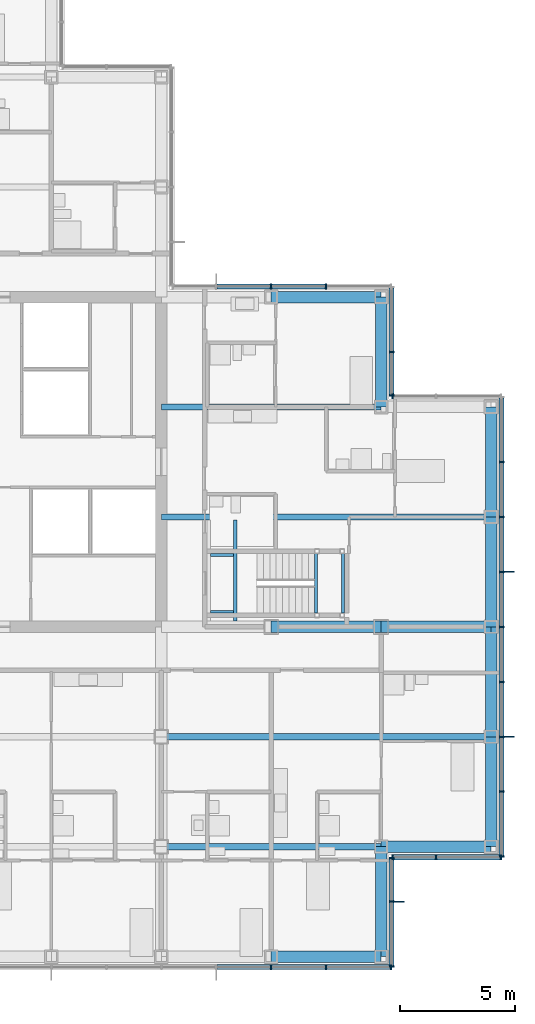
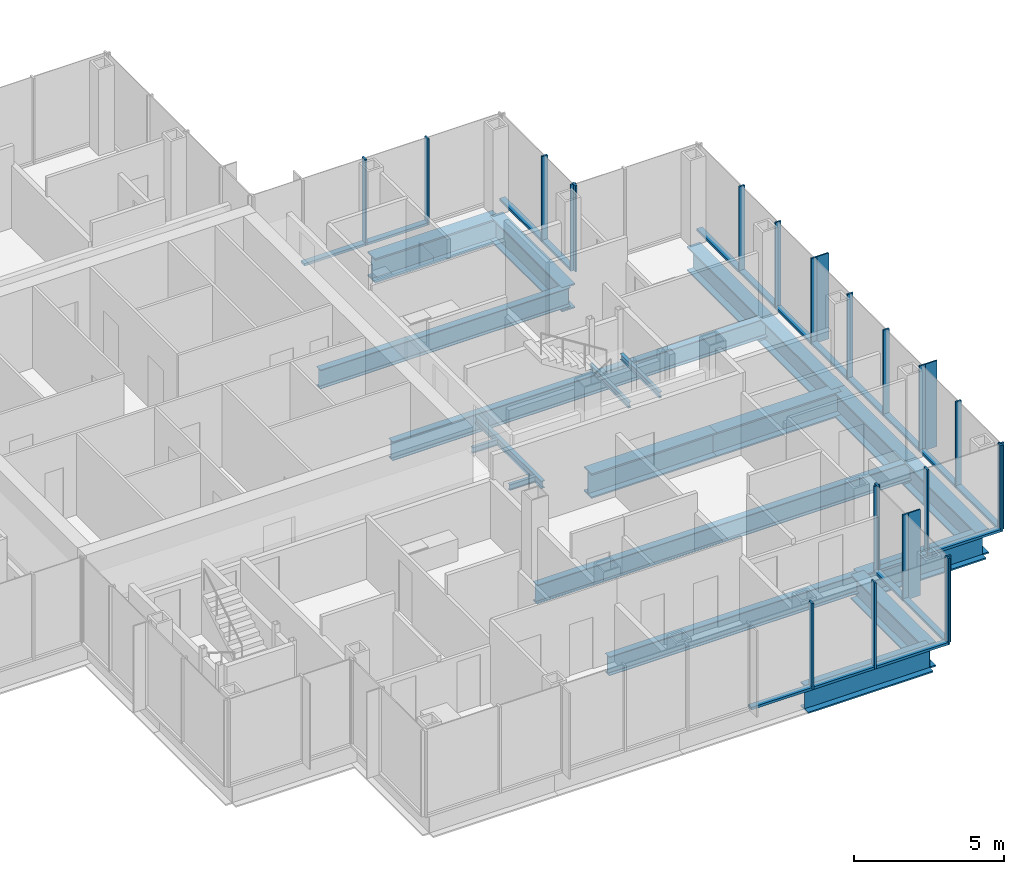
# One storey, part 8 of 20: 44 members, 20 beams, 7 elements without a shape of their own.
"""IFC4 building model written with IfcOpenShell, lengths in metres."""

import ifcopenshell
import ifcopenshell.guid

model = None  # the IFC model being written
_history = None  # IfcOwnerHistory: only IFC2X3 demands one
_inside = {}  # id of a spatial element -> (the spatial element, [elements in it])
_under = {}  # id of a project, library or spatial element -> (it, [spatial elements below it])
_declared = {}  # id of a project -> (the project, [libraries it declares])
_typed = {}  # id of a type object -> (the type object, [elements of that type])
_made_of = {}  # id of a material, layer set ... -> (it, [elements and type objects made of it])


def new_model(schema):
    """Start an empty IFC model of exactly this schema.

    Asked for "IFC4X3", IfcOpenShell would pick the latest addendum, in which some entities
    have other attributes; the version numbers below select the first issue.
    IFC2X3 requires an IfcOwnerHistory on every rooted entity: one is made here for all.
    """
    global model, _history
    if schema == "IFC4X3":
        model = ifcopenshell.file(schema_version=(4, 3, 0, 0))
    else:
        model = ifcopenshell.file(schema=schema)
    _inside.clear()
    _under.clear()
    _declared.clear()
    _typed.clear()
    _made_of.clear()
    _history = None
    if model.schema == "IFC2X3":
        org = make("IfcOrganization", Name="unknown")
        user = make(
            "IfcPersonAndOrganization",
            ThePerson=make("IfcPerson", FamilyName="unknown"),
            TheOrganization=org,
        )
        app = make(
            "IfcApplication",
            ApplicationDeveloper=org,
            Version="unknown",
            ApplicationFullName="unknown",
            ApplicationIdentifier="unknown",
        )
        _history = make(
            "IfcOwnerHistory",
            OwningUser=user,
            OwningApplication=app,
            ChangeAction="ADDED",
            CreationDate=0,
        )
    return model


def make(cls, **values):
    """One entity of the class cls with the attributes given. An attribute that is None is left unset."""
    return model.create_entity(
        cls, **{name: value for name, value in values.items() if value is not None}
    )


def rooted(cls, **values):
    """An entity with a GlobalId (a new one), such as an element, a storey or a relation."""
    return make(cls, GlobalId=ifcopenshell.guid.new(), OwnerHistory=_history, **values)


def si_unit(unit_type, name, prefix=None):
    """IfcSIUnit, for example si_unit("LENGTHUNIT", "METRE", prefix="MILLI")."""
    return make("IfcSIUnit", UnitType=unit_type, Prefix=prefix, Name=name)


def assignment(units):
    """IfcUnitAssignment: the units of a project."""
    return None if units is None else make("IfcUnitAssignment", Units=units)


def point(xyz):
    """IfcCartesianPoint."""
    return None if xyz is None else make("IfcCartesianPoint", Coordinates=xyz)


def direction(xyz):
    """IfcDirection."""
    return None if xyz is None else make("IfcDirection", DirectionRatios=xyz)


def frame(location, z_axis=None, x_axis=None):
    """IfcAxis2Placement3D, a coordinate frame: its origin and axes. An axis left out is left unset."""
    return make(
        "IfcAxis2Placement3D",
        Location=point(location),
        Axis=direction(z_axis),
        RefDirection=direction(x_axis),
    )


def frame_2d(location, x_axis=None):
    """IfcAxis2Placement2D, a coordinate frame in the plane: its origin and x axis."""
    return make(
        "IfcAxis2Placement2D", Location=point(location), RefDirection=direction(x_axis)
    )


def origin():
    """The frame at (0, 0, 0) with its axes left unset."""
    return frame((0.0, 0.0, 0.0))


def origin_2d():
    """The frame at (0, 0) in the plane with its x axis left unset."""
    return frame_2d((0.0, 0.0))


def place(relative_to, where):
    """IfcLocalPlacement: puts the frame where relative to a parent placement (None: the world)."""
    return make(
        "IfcLocalPlacement", PlacementRelTo=relative_to, RelativePlacement=where
    )


def context(
    kind, dimensions, precision=None, world=None, true_north=None, identifier=None
):
    """IfcGeometricRepresentationContext, for example the 3D "Model" context."""
    return make(
        "IfcGeometricRepresentationContext",
        ContextIdentifier=identifier,
        ContextType=kind,
        CoordinateSpaceDimension=dimensions,
        Precision=precision,
        WorldCoordinateSystem=world,
        TrueNorth=true_north,
    )


def subcontext(parent, identifier, kind, view, scale=None):
    """IfcGeometricRepresentationSubContext, for example "Body" below "Model"."""
    return make(
        "IfcGeometricRepresentationSubContext",
        ContextIdentifier=identifier,
        ContextType=kind,
        ParentContext=parent,
        TargetScale=scale,
        TargetView=view,
    )


def project(units=None, contexts=None):
    """IfcProject with its units and contexts."""
    return rooted(
        "IfcProject",
        Name="project",
        RepresentationContexts=contexts,
        UnitsInContext=assignment(units),
    )


def spatial(cls, under=None, at=None, **own):
    """A site, building, storey or space (cls), placed at a placement, below another one or the project."""
    s = rooted(cls, ObjectPlacement=at, **own)
    if under is not None:
        _under.setdefault(under.id(), (under, []))[1].append(s)
    return s


def profile(cls, at=None, kind="AREA", **sizes):
    """A parametric profile (cls). Its sizes go by their IFC names, for example OverallWidth=200.0."""
    return make(cls, ProfileType=kind, Position=at, **sizes)


def rectangle(**sizes):
    """IfcRectangleProfileDef."""
    return profile("IfcRectangleProfileDef", **sizes)


def i_section(**sizes):
    """IfcIShapeProfileDef."""
    return profile("IfcIShapeProfileDef", **sizes)


def extrude(swept, where, along, depth):
    """IfcExtrudedAreaSolid: the profile swept, set in the frame where, extruded along a direction by depth."""
    return make(
        "IfcExtrudedAreaSolid",
        SweptArea=swept,
        Position=where,
        ExtrudedDirection=direction(along),
        Depth=depth,
    )


def shape(context_of_items, identifier, shape_type, items):
    """IfcShapeRepresentation: the items that make up one representation, for example the "Body"."""
    return make(
        "IfcShapeRepresentation",
        ContextOfItems=context_of_items,
        RepresentationIdentifier=identifier,
        RepresentationType=shape_type,
        Items=items,
    )


def material(Name=None, Category=None):
    """IfcMaterial."""
    return make("IfcMaterial", Name=Name, Category=Category)


def material_profile(
    of_material, cross_section, Name=None, Category=None, Priority=None
):
    """IfcMaterialProfile: a cross section and its material."""
    return make(
        "IfcMaterialProfile",
        Name=Name,
        Material=of_material,
        Profile=cross_section,
        Priority=Priority,
        Category=Category,
    )


def profile_set(profiles, Name=None, composite=None):
    """IfcMaterialProfileSet."""
    return make(
        "IfcMaterialProfileSet",
        Name=Name,
        MaterialProfiles=profiles,
        CompositeProfile=composite,
    )


def made_of(thing, what):
    """Note that an element or type object is made of a material, layer set ...; save() writes the relation."""
    if what is not None:
        _made_of.setdefault(what.id(), (what, []))[1].append(thing)
    return thing


def type_object(cls, material=None, **own):
    """A type object (cls), such as IfcWallType, which elements share."""
    return made_of(rooted(cls, **own), material)


def element(
    cls,
    number,
    at=None,
    inside=None,
    cuts=None,
    type_object=None,
    material=None,
    context=None,
    identifier="Body",
    shape_type=None,
    held_by="IfcProductDefinitionShape",
    body=None,
    shapes=None,
    **own,
):
    """One element of the class cls, such as IfcWall. Its Tag is "e" and its number.

    at: its placement. inside: the storey or other place that contains it. cuts: it is an
    opening in that element (IfcRelVoidsElement). A single representation is given by context,
    identifier, shape_type and body (its items); several are given by shapes. held_by: the class
    of the entity that holds the representations. save() writes the other relations.
    """
    e = rooted(cls, Tag="e%d" % number, ObjectPlacement=at, **own)
    if body is not None:
        shapes = [shape(context, identifier, shape_type, body)]
    if shapes is not None:
        e.Representation = make(held_by, Representations=shapes)
    if inside is not None:
        _inside.setdefault(inside.id(), (inside, []))[1].append(e)
    if cuts is not None:
        rooted(
            "IfcRelVoidsElement", RelatingBuildingElement=cuts, RelatedOpeningElement=e
        )
    if type_object is not None:
        _typed.setdefault(type_object.id(), (type_object, []))[1].append(e)
    return made_of(e, material)


def aggregate(whole, parts):
    """IfcRelAggregates: a whole, such as a stair, and the parts it consists of."""
    return rooted("IfcRelAggregates", RelatingObject=whole, RelatedObjects=parts)


def save(model, path):
    """Write the relations noted so far, then the file.

    IfcRelAggregates (storeys below a building ...), IfcRelContainedInSpatialStructure (elements
    in a storey), IfcRelDefinesByType, IfcRelAssociatesMaterial and IfcRelDeclares: one each for
    every whole, place, type object, material and project.
    """
    for whole, parts in _under.values():
        aggregate(whole, parts)
    for where, things in _inside.values():
        rooted(
            "IfcRelContainedInSpatialStructure",
            RelatedElements=things,
            RelatingStructure=where,
        )
    for kind, things in _typed.values():
        rooted("IfcRelDefinesByType", RelatedObjects=things, RelatingType=kind)
    for what, things in _made_of.values():
        rooted("IfcRelAssociatesMaterial", RelatedObjects=things, RelatingMaterial=what)
    for by, libraries in _declared.values():
        rooted("IfcRelDeclares", RelatingContext=by, RelatedDefinitions=libraries)
    model.write(path)


model = new_model("IFC4")

# Units and contexts
model_context = context("Model", 3, precision=1e-05, world=origin(), true_north=direction((0.0, 1.0)))
body_context = subcontext(model_context, "Body", "Model", "MODEL_VIEW")
ifc_project = project(units=[si_unit("LENGTHUNIT", "METRE"), si_unit("AREAUNIT", "SQUARE_METRE"), si_unit("VOLUMEUNIT", "CUBIC_METRE"), si_unit("PLANEANGLEUNIT", "RADIAN"), si_unit("MASSUNIT", "GRAM", prefix="KILO")], contexts=[model_context])

# Site, building, storey
site_placement = place(None, origin())
site = spatial("IfcSite", under=ifc_project, at=site_placement, CompositionType="ELEMENT")
building_placement = place(site_placement, origin())
building = spatial("IfcBuilding", under=site, at=building_placement, Name="Kvirike Care Tower", CompositionType="ELEMENT")
storey_placement = place(building_placement, frame((0.0, 0.0, 119.0)))
storey = spatial("IfcBuildingStorey", under=building, at=storey_placement, Name="L32", CompositionType="ELEMENT", Elevation=119.0)

# Curtain wall, members
ifc_material_1 = material(Name="Anodised aluminium stick system", Category="aluminium")
curtain_wall_type = type_object("IfcCurtainWallType", Name="CW-B STICK CURTAIN WALL", PredefinedType="NOTDEFINED", material=ifc_material_1)
curtain_wall_1_placement = place(storey_placement, origin())
curtain_wall_1 = element("IfcCurtainWall", 1, at=curtain_wall_1_placement, inside=storey, type_object=curtain_wall_type, Name="Curtain wall L32 face 1", PredefinedType="NOTDEFINED")
ifc_material_2 = material(Name="Bronze anodised aluminium fin", Category="aluminium")
ifc_material_profile_1 = material_profile(ifc_material_2, rectangle(XDim=0.050048828125, YDim=0.449951171875, at=origin_2d()), Name="BRONZE FIN 450")
ifc_profile_set_1 = profile_set([ifc_material_profile_1], Name="Bronze anodised aluminium fin")
member_type_1 = type_object("IfcMemberType", Name="BRONZE FIN 450", PredefinedType="USERDEFINED", material=ifc_profile_set_1)
member_1_placement = place(storey_placement, frame((43.9951171875, 24.0, 0.0), z_axis=(0.0, 0.0, 1.0), x_axis=(0.0, 1.0, 0.0)))
member_1 = element("IfcMember", 2, at=member_1_placement, type_object=member_type_1, Name="Bronze fin L32 face 1.3", ObjectType="FIN", PredefinedType="USERDEFINED", context=body_context, shape_type="SweptSolid", body=[
    extrude(rectangle(XDim=0.050048828125, YDim=0.449951171875, at=origin_2d()), origin(), (0.0, 0.0, 1.0), 3.5),
])
member_2_placement = place(storey_placement, frame((43.9951171875, 31.199951171875, 0.0), z_axis=(0.0, 0.0, 1.0), x_axis=(0.0, 1.0, 0.0)))
member_2 = element("IfcMember", 3, at=member_2_placement, type_object=member_type_1, Name="Bronze fin L32 face 1.6", ObjectType="FIN", PredefinedType="USERDEFINED", context=body_context, shape_type="SweptSolid", body=[
    extrude(rectangle(XDim=0.050048828125, YDim=0.449951171875, at=origin_2d()), origin(), (0.0, 0.0, 1.0), 3.5),
])

# Curtain wall, member
curtain_wall_2_placement = place(storey_placement, origin())
curtain_wall_2 = element("IfcCurtainWall", 4, at=curtain_wall_2_placement, inside=storey, type_object=curtain_wall_type, Name="Curtain wall L32 face 19", PredefinedType="NOTDEFINED")
member_3_placement = place(storey_placement, frame((39.195068359375, 16.800048828125, 0.0), z_axis=(0.0, 0.0, 1.0), x_axis=(0.0, 1.0, 0.0)))
member_3 = element("IfcMember", 5, at=member_3_placement, type_object=member_type_1, Name="Bronze fin L32 face 19.2", ObjectType="FIN", PredefinedType="USERDEFINED", context=body_context, shape_type="SweptSolid", body=[
    extrude(rectangle(XDim=0.050048828125, YDim=0.449951171875, at=origin_2d()), origin(), (0.0, 0.0, 1.0), 3.5),
])

# Member
ifc_material_3 = material(Name="Bronze anodised aluminium mullion", Category="aluminium")
ifc_material_profile_2 = material_profile(ifc_material_3, rectangle(XDim=0.06494140625, YDim=0.219970703125, at=origin_2d()), Name="CW-B MULLION 65x220")
ifc_profile_set_2 = profile_set([ifc_material_profile_2], Name="Bronze anodised aluminium mullion")
member_type_2 = type_object("IfcMemberType", Name="CW-B MULLION 65x220", PredefinedType="MULLION", material=ifc_profile_set_2)
member_4_placement = place(storey_placement, frame((43.659912109375, 18.7724609375, 0.0), z_axis=(0.0, 0.0, 1.0), x_axis=(0.0, 1.0, 0.0)))
member_4 = element("IfcMember", 6, at=member_4_placement, type_object=member_type_2, Name="CW-B mullion L32 face 1.1", PredefinedType="MULLION", context=body_context, shape_type="SweptSolid", body=[
    extrude(rectangle(XDim=0.06494140625, YDim=0.219970703125, at=origin_2d()), origin(), (0.0, 0.0, 1.0), 3.5),
])

member_5_placement = place(storey_placement, frame((43.659912109375, 21.60009765625, 0.0), z_axis=(0.0, 0.0, 1.0), x_axis=(0.0, 1.0, 0.0)))
member_5 = element("IfcMember", 7, at=member_5_placement, type_object=member_type_2, Name="CW-B mullion L32 face 1.2", PredefinedType="MULLION", context=body_context, shape_type="SweptSolid", body=[
    extrude(rectangle(XDim=0.06494140625, YDim=0.219970703125, at=origin_2d()), origin(), (0.0, 0.0, 1.0), 3.5),
])

member_6_placement = place(storey_placement, frame((43.659912109375, 24.0, 0.0), z_axis=(0.0, 0.0, 1.0), x_axis=(0.0, 1.0, 0.0)))
member_6 = element("IfcMember", 8, at=member_6_placement, type_object=member_type_2, Name="CW-B mullion L32 face 1.3", PredefinedType="MULLION", context=body_context, shape_type="SweptSolid", body=[
    extrude(rectangle(XDim=0.06494140625, YDim=0.219970703125, at=origin_2d()), origin(), (0.0, 0.0, 1.0), 3.5),
])

member_7_placement = place(storey_placement, frame((43.659912109375, 26.39990234375, 0.0), z_axis=(0.0, 0.0, 1.0), x_axis=(0.0, 1.0, 0.0)))
member_7 = element("IfcMember", 9, at=member_7_placement, type_object=member_type_2, Name="CW-B mullion L32 face 1.4", PredefinedType="MULLION", context=body_context, shape_type="SweptSolid", body=[
    extrude(rectangle(XDim=0.06494140625, YDim=0.219970703125, at=origin_2d()), origin(), (0.0, 0.0, 1.0), 3.5),
])

member_8_placement = place(storey_placement, frame((43.659912109375, 28.800048828125, 0.0), z_axis=(0.0, 0.0, 1.0), x_axis=(0.0, 1.0, 0.0)))
member_8 = element("IfcMember", 10, at=member_8_placement, type_object=member_type_2, Name="CW-B mullion L32 face 1.5", PredefinedType="MULLION", context=body_context, shape_type="SweptSolid", body=[
    extrude(rectangle(XDim=0.06494140625, YDim=0.219970703125, at=origin_2d()), origin(), (0.0, 0.0, 1.0), 3.5),
])

member_9_placement = place(storey_placement, frame((43.659912109375, 31.199951171875, 0.0), z_axis=(0.0, 0.0, 1.0), x_axis=(0.0, 1.0, 0.0)))
member_9 = element("IfcMember", 11, at=member_9_placement, type_object=member_type_2, Name="CW-B mullion L32 face 1.6", PredefinedType="MULLION", context=body_context, shape_type="SweptSolid", body=[
    extrude(rectangle(XDim=0.06494140625, YDim=0.219970703125, at=origin_2d()), origin(), (0.0, 0.0, 1.0), 3.5),
])

member_10_placement = place(storey_placement, frame((43.659912109375, 33.60009765625, 0.0), z_axis=(0.0, 0.0, 1.0), x_axis=(0.0, 1.0, 0.0)))
member_10 = element("IfcMember", 12, at=member_10_placement, type_object=member_type_2, Name="CW-B mullion L32 face 1.7", PredefinedType="MULLION", context=body_context, shape_type="SweptSolid", body=[
    extrude(rectangle(XDim=0.06494140625, YDim=0.219970703125, at=origin_2d()), origin(), (0.0, 0.0, 1.0), 3.5),
])

member_11_placement = place(storey_placement, frame((43.659912109375, 36.0, 0.0), z_axis=(0.0, 0.0, 1.0), x_axis=(0.0, 1.0, 0.0)))
member_11 = element("IfcMember", 13, at=member_11_placement, type_object=member_type_2, Name="CW-B mullion L32 face 1.8", PredefinedType="MULLION", context=body_context, shape_type="SweptSolid", body=[
    extrude(rectangle(XDim=0.06494140625, YDim=0.219970703125, at=origin_2d()), origin(), (0.0, 0.0, 1.0), 3.5),
])

# Curtain wall, member
curtain_wall_3_placement = place(storey_placement, origin())
curtain_wall_3 = element("IfcCurtainWall", 14, at=curtain_wall_3_placement, inside=storey, type_object=curtain_wall_type, Name="Curtain wall L32 face 2", PredefinedType="NOTDEFINED")
member_12_placement = place(storey_placement, frame((38.892578125, 38.860107421875, 0.0), z_axis=(0.0, 0.0, 1.0), x_axis=(-1.0, 0.0, 0.0)))
member_12 = element("IfcMember", 15, at=member_12_placement, type_object=member_type_2, Name="CW-B mullion L32 face 2.3", PredefinedType="MULLION", context=body_context, shape_type="SweptSolid", body=[
    extrude(rectangle(XDim=0.06494140625, YDim=0.219970703125, at=origin_2d()), origin(), (0.0, 0.0, 1.0), 3.5),
])
aggregate(curtain_wall_3, [member_12])

# Curtain wall, members
curtain_wall_4_placement = place(storey_placement, origin())
curtain_wall_4 = element("IfcCurtainWall", 16, at=curtain_wall_4_placement, inside=storey, type_object=curtain_wall_type, Name="Curtain wall L32 face 3", PredefinedType="NOTDEFINED")
member_13_placement = place(storey_placement, frame((38.860107421875, 38.892578125, 0.0), z_axis=(0.0, 0.0, 1.0), x_axis=(0.0, 1.0, 0.0)))
member_13 = element("IfcMember", 17, at=member_13_placement, type_object=member_type_2, Name="CW-B mullion L32 face 3.1", PredefinedType="MULLION", context=body_context, shape_type="SweptSolid", body=[
    extrude(rectangle(XDim=0.06494140625, YDim=0.219970703125, at=origin_2d()), origin(), (0.0, 0.0, 1.0), 3.5),
])
member_14_placement = place(storey_placement, frame((38.860107421875, 40.800048828125, 0.0), z_axis=(0.0, 0.0, 1.0), x_axis=(0.0, 1.0, 0.0)))
member_14 = element("IfcMember", 18, at=member_14_placement, type_object=member_type_2, Name="CW-B mullion L32 face 3.2", PredefinedType="MULLION", context=body_context, shape_type="SweptSolid", body=[
    extrude(rectangle(XDim=0.06494140625, YDim=0.219970703125, at=origin_2d()), origin(), (0.0, 0.0, 1.0), 3.5),
])

curtain_wall_5_placement = place(storey_placement, origin())
curtain_wall_5 = element("IfcCurtainWall", 19, at=curtain_wall_5_placement, inside=storey, type_object=curtain_wall_type, Name="Curtain wall L32 face 4", PredefinedType="NOTDEFINED")
member_15_placement = place(storey_placement, frame((36.0, 43.659912109375, 0.0), z_axis=(0.0, 0.0, 1.0), x_axis=(-1.0, 0.0, 0.0)))
member_15 = element("IfcMember", 20, at=member_15_placement, type_object=member_type_2, Name="CW-B mullion L32 face 4.2", PredefinedType="MULLION", context=body_context, shape_type="SweptSolid", body=[
    extrude(rectangle(XDim=0.06494140625, YDim=0.219970703125, at=origin_2d()), origin(), (0.0, 0.0, 1.0), 3.5),
])
member_16_placement = place(storey_placement, frame((33.60009765625, 43.659912109375, 0.0), z_axis=(0.0, 0.0, 1.0), x_axis=(-1.0, 0.0, 0.0)))
member_16 = element("IfcMember", 21, at=member_16_placement, type_object=member_type_2, Name="CW-B mullion L32 face 4.3", PredefinedType="MULLION", context=body_context, shape_type="SweptSolid", body=[
    extrude(rectangle(XDim=0.06494140625, YDim=0.219970703125, at=origin_2d()), origin(), (0.0, 0.0, 1.0), 3.5),
])

curtain_wall_6_placement = place(storey_placement, origin())
curtain_wall_6 = element("IfcCurtainWall", 22, at=curtain_wall_6_placement, inside=storey, type_object=curtain_wall_type, Name="Curtain wall L32 face 18", PredefinedType="NOTDEFINED")
member_17_placement = place(storey_placement, frame((33.60009765625, 13.93994140625, 0.0), z_axis=(0.0, 0.0, 1.0), x_axis=(1.0, 0.0, 0.0)))
member_17 = element("IfcMember", 23, at=member_17_placement, type_object=member_type_2, Name="CW-B mullion L32 face 18.7", PredefinedType="MULLION", context=body_context, shape_type="SweptSolid", body=[
    extrude(rectangle(XDim=0.06494140625, YDim=0.219970703125, at=origin_2d()), origin(), (0.0, 0.0, 1.0), 3.5),
])
member_18_placement = place(storey_placement, frame((36.0, 13.93994140625, 0.0), z_axis=(0.0, 0.0, 1.0), x_axis=(1.0, 0.0, 0.0)))
member_18 = element("IfcMember", 24, at=member_18_placement, type_object=member_type_2, Name="CW-B mullion L32 face 18.8", PredefinedType="MULLION", context=body_context, shape_type="SweptSolid", body=[
    extrude(rectangle(XDim=0.06494140625, YDim=0.219970703125, at=origin_2d()), origin(), (0.0, 0.0, 1.0), 3.5),
])
member_19_placement = place(storey_placement, frame((38.827392578125, 13.93994140625, 0.0), z_axis=(0.0, 0.0, 1.0), x_axis=(1.0, 0.0, 0.0)))
member_19 = element("IfcMember", 25, at=member_19_placement, type_object=member_type_2, Name="CW-B mullion L32 face 18.9", PredefinedType="MULLION", context=body_context, shape_type="SweptSolid", body=[
    extrude(rectangle(XDim=0.06494140625, YDim=0.219970703125, at=origin_2d()), origin(), (0.0, 0.0, 1.0), 3.5),
])

# Member
member_20_placement = place(storey_placement, frame((38.860107421875, 13.972412109375, 0.0), z_axis=(0.0, 0.0, 1.0), x_axis=(0.0, 1.0, 0.0)))
member_20 = element("IfcMember", 26, at=member_20_placement, type_object=member_type_2, Name="CW-B mullion L32 face 19.1", PredefinedType="MULLION", context=body_context, shape_type="SweptSolid", body=[
    extrude(rectangle(XDim=0.06494140625, YDim=0.219970703125, at=origin_2d()), origin(), (0.0, 0.0, 1.0), 3.5),
])

member_21_placement = place(storey_placement, frame((38.860107421875, 16.800048828125, 0.0), z_axis=(0.0, 0.0, 1.0), x_axis=(0.0, 1.0, 0.0)))
member_21 = element("IfcMember", 27, at=member_21_placement, type_object=member_type_2, Name="CW-B mullion L32 face 19.2", PredefinedType="MULLION", context=body_context, shape_type="SweptSolid", body=[
    extrude(rectangle(XDim=0.06494140625, YDim=0.219970703125, at=origin_2d()), origin(), (0.0, 0.0, 1.0), 3.5),
])

member_22_placement = place(storey_placement, frame((38.860107421875, 18.70751953125, 0.0), z_axis=(0.0, 0.0, 1.0), x_axis=(0.0, 1.0, 0.0)))
member_22 = element("IfcMember", 28, at=member_22_placement, type_object=member_type_2, Name="CW-B mullion L32 face 19.3", PredefinedType="MULLION", context=body_context, shape_type="SweptSolid", body=[
    extrude(rectangle(XDim=0.06494140625, YDim=0.219970703125, at=origin_2d()), origin(), (0.0, 0.0, 1.0), 3.5),
])

# Curtain wall, members
curtain_wall_7_placement = place(storey_placement, origin())
curtain_wall_7 = element("IfcCurtainWall", 29, at=curtain_wall_7_placement, inside=storey, type_object=curtain_wall_type, Name="Curtain wall L32 face 20", PredefinedType="NOTDEFINED")
member_23_placement = place(storey_placement, frame((38.892578125, 18.739990234375, 0.0), z_axis=(0.0, 0.0, 1.0), x_axis=(1.0, 0.0, 0.0)))
member_23 = element("IfcMember", 30, at=member_23_placement, type_object=member_type_2, Name="CW-B mullion L32 face 20.1", PredefinedType="MULLION", context=body_context, shape_type="SweptSolid", body=[
    extrude(rectangle(XDim=0.06494140625, YDim=0.219970703125, at=origin_2d()), origin(), (0.0, 0.0, 1.0), 3.5),
])
member_24_placement = place(storey_placement, frame((40.800048828125, 18.739990234375, 0.0), z_axis=(0.0, 0.0, 1.0), x_axis=(1.0, 0.0, 0.0)))
member_24 = element("IfcMember", 31, at=member_24_placement, type_object=member_type_2, Name="CW-B mullion L32 face 20.2", PredefinedType="MULLION", context=body_context, shape_type="SweptSolid", body=[
    extrude(rectangle(XDim=0.06494140625, YDim=0.219970703125, at=origin_2d()), origin(), (0.0, 0.0, 1.0), 3.5),
])
member_25_placement = place(storey_placement, frame((43.62744140625, 18.739990234375, 0.0), z_axis=(0.0, 0.0, 1.0), x_axis=(1.0, 0.0, 0.0)))
member_25 = element("IfcMember", 32, at=member_25_placement, type_object=member_type_2, Name="CW-B mullion L32 face 20.3", PredefinedType="MULLION", context=body_context, shape_type="SweptSolid", body=[
    extrude(rectangle(XDim=0.06494140625, YDim=0.219970703125, at=origin_2d()), origin(), (0.0, 0.0, 1.0), 3.5),
])

# Member
ifc_material_4 = material(Name="Bronze anodised aluminium transom", Category="aluminium")
ifc_material_profile_3 = material_profile(ifc_material_4, rectangle(XDim=0.219970703125, YDim=0.10009765625, at=origin_2d()), Name="CW-B TRANSOM 220x100")
ifc_profile_set_3 = profile_set([ifc_material_profile_3], Name="Bronze anodised aluminium transom")
member_type_3 = type_object("IfcMemberType", Name="CW-B TRANSOM 220x100", PredefinedType="USERDEFINED", material=ifc_profile_set_3)
member_26_placement = place(storey_placement, frame((43.659912109375, 18.804931640625, 0.050048828125), z_axis=(0.0, 1.0, 0.0), x_axis=(-1.0, 0.0, 0.0)))
member_26 = element("IfcMember", 33, at=member_26_placement, type_object=member_type_3, Name="CW-B sill transom L32 face 1.1", ObjectType="TRANSOM", PredefinedType="USERDEFINED", context=body_context, shape_type="SweptSolid", body=[
    extrude(rectangle(XDim=0.219970703125, YDim=0.10009765625, at=origin_2d()), origin(), (0.0, 0.0, 1.0), 2.762451171875),
])

member_27_placement = place(storey_placement, frame((43.659912109375, 21.632568359375, 0.050048828125), z_axis=(0.0, 1.0, 0.0), x_axis=(-1.0, 0.0, 0.0)))
member_27 = element("IfcMember", 34, at=member_27_placement, type_object=member_type_3, Name="CW-B sill transom L32 face 1.2", ObjectType="TRANSOM", PredefinedType="USERDEFINED", context=body_context, shape_type="SweptSolid", body=[
    extrude(rectangle(XDim=0.219970703125, YDim=0.10009765625, at=origin_2d()), origin(), (0.0, 0.0, 1.0), 2.3349609375),
])

member_28_placement = place(storey_placement, frame((43.659912109375, 24.032470703125, 0.050048828125), z_axis=(0.0, 1.0, 0.0), x_axis=(-1.0, 0.0, 0.0)))
member_28 = element("IfcMember", 35, at=member_28_placement, type_object=member_type_3, Name="CW-B sill transom L32 face 1.3", ObjectType="TRANSOM", PredefinedType="USERDEFINED", context=body_context, shape_type="SweptSolid", body=[
    extrude(rectangle(XDim=0.219970703125, YDim=0.10009765625, at=origin_2d()), origin(), (0.0, 0.0, 1.0), 2.3349609375),
])

member_29_placement = place(storey_placement, frame((43.659912109375, 26.4326171875, 0.050048828125), z_axis=(0.0, 1.0, 0.0), x_axis=(-1.0, 0.0, 0.0)))
member_29 = element("IfcMember", 36, at=member_29_placement, type_object=member_type_3, Name="CW-B sill transom L32 face 1.4", ObjectType="TRANSOM", PredefinedType="USERDEFINED", context=body_context, shape_type="SweptSolid", body=[
    extrude(rectangle(XDim=0.219970703125, YDim=0.10009765625, at=origin_2d()), origin(), (0.0, 0.0, 1.0), 2.3349609375),
])

member_30_placement = place(storey_placement, frame((43.659912109375, 28.83251953125, 0.050048828125), z_axis=(0.0, 1.0, 0.0), x_axis=(-1.0, 0.0, 0.0)))
member_30 = element("IfcMember", 37, at=member_30_placement, type_object=member_type_3, Name="CW-B sill transom L32 face 1.5", ObjectType="TRANSOM", PredefinedType="USERDEFINED", context=body_context, shape_type="SweptSolid", body=[
    extrude(rectangle(XDim=0.219970703125, YDim=0.10009765625, at=origin_2d()), origin(), (0.0, 0.0, 1.0), 2.3349609375),
])

member_31_placement = place(storey_placement, frame((43.659912109375, 31.232421875, 0.050048828125), z_axis=(0.0, 1.0, 0.0), x_axis=(-1.0, 0.0, 0.0)))
member_31 = element("IfcMember", 38, at=member_31_placement, type_object=member_type_3, Name="CW-B sill transom L32 face 1.6", ObjectType="TRANSOM", PredefinedType="USERDEFINED", context=body_context, shape_type="SweptSolid", body=[
    extrude(rectangle(XDim=0.219970703125, YDim=0.10009765625, at=origin_2d()), origin(), (0.0, 0.0, 1.0), 2.3349609375),
])

member_32_placement = place(storey_placement, frame((43.659912109375, 33.632568359375, 0.050048828125), z_axis=(0.0, 1.0, 0.0), x_axis=(-1.0, 0.0, 0.0)))
member_32 = element("IfcMember", 39, at=member_32_placement, type_object=member_type_3, Name="CW-B sill transom L32 face 1.7", ObjectType="TRANSOM", PredefinedType="USERDEFINED", context=body_context, shape_type="SweptSolid", body=[
    extrude(rectangle(XDim=0.219970703125, YDim=0.10009765625, at=origin_2d()), origin(), (0.0, 0.0, 1.0), 2.3349609375),
])

member_33_placement = place(storey_placement, frame((43.659912109375, 36.032470703125, 0.050048828125), z_axis=(0.0, 1.0, 0.0), x_axis=(-1.0, 0.0, 0.0)))
member_33 = element("IfcMember", 40, at=member_33_placement, type_object=member_type_3, Name="CW-B sill transom L32 face 1.8", ObjectType="TRANSOM", PredefinedType="USERDEFINED", context=body_context, shape_type="SweptSolid", body=[
    extrude(rectangle(XDim=0.219970703125, YDim=0.10009765625, at=origin_2d()), origin(), (0.0, 0.0, 1.0), 2.762451171875),
])

aggregate(curtain_wall_1, [member_4, member_5, member_6, member_1, member_7, member_8, member_9, member_2, member_10, member_11, member_26, member_27, member_28, member_29, member_30, member_31, member_32, member_33])

member_34_placement = place(storey_placement, frame((38.860107421875, 38.925048828125, 0.050048828125), z_axis=(0.0, 1.0, 0.0), x_axis=(-1.0, 0.0, 0.0)))
member_34 = element("IfcMember", 41, at=member_34_placement, type_object=member_type_3, Name="CW-B sill transom L32 face 3.1", ObjectType="TRANSOM", PredefinedType="USERDEFINED", context=body_context, shape_type="SweptSolid", body=[
    extrude(rectangle(XDim=0.219970703125, YDim=0.10009765625, at=origin_2d()), origin(), (0.0, 0.0, 1.0), 1.842529296875),
])

member_35_placement = place(storey_placement, frame((38.860107421875, 40.83251953125, 0.050048828125), z_axis=(0.0, 1.0, 0.0), x_axis=(-1.0, 0.0, 0.0)))
member_35 = element("IfcMember", 42, at=member_35_placement, type_object=member_type_3, Name="CW-B sill transom L32 face 3.2", ObjectType="TRANSOM", PredefinedType="USERDEFINED", context=body_context, shape_type="SweptSolid", body=[
    extrude(rectangle(XDim=0.219970703125, YDim=0.10009765625, at=origin_2d()), origin(), (0.0, 0.0, 1.0), 2.762451171875),
])

aggregate(curtain_wall_4, [member_13, member_14, member_34, member_35])

member_36_placement = place(storey_placement, frame((35.967529296875, 43.659912109375, 0.050048828125), z_axis=(-1.0, 0.0, 0.0), x_axis=(0.0, -1.0, 0.0)))
member_36 = element("IfcMember", 43, at=member_36_placement, type_object=member_type_3, Name="CW-B sill transom L32 face 4.2", ObjectType="TRANSOM", PredefinedType="USERDEFINED", context=body_context, shape_type="SweptSolid", body=[
    extrude(rectangle(XDim=0.219970703125, YDim=0.10009765625, at=origin_2d()), origin(), (0.0, 0.0, 1.0), 2.3349609375),
])

member_37_placement = place(storey_placement, frame((33.5673828125, 43.659912109375, 0.050048828125), z_axis=(-1.0, 0.0, 0.0), x_axis=(0.0, -1.0, 0.0)))
member_37 = element("IfcMember", 44, at=member_37_placement, type_object=member_type_3, Name="CW-B sill transom L32 face 4.3", ObjectType="TRANSOM", PredefinedType="USERDEFINED", context=body_context, shape_type="SweptSolid", body=[
    extrude(rectangle(XDim=0.219970703125, YDim=0.10009765625, at=origin_2d()), origin(), (0.0, 0.0, 1.0), 2.3349609375),
])

aggregate(curtain_wall_5, [member_15, member_16, member_36, member_37])

member_38_placement = place(storey_placement, frame((31.232421875, 13.93994140625, 0.050048828125), z_axis=(1.0, 0.0, 0.0), x_axis=(0.0, 1.0, 0.0)))
member_38 = element("IfcMember", 45, at=member_38_placement, type_object=member_type_3, Name="CW-B sill transom L32 face 18.6", ObjectType="TRANSOM", PredefinedType="USERDEFINED", context=body_context, shape_type="SweptSolid", body=[
    extrude(rectangle(XDim=0.219970703125, YDim=0.10009765625, at=origin_2d()), origin(), (0.0, 0.0, 1.0), 2.3349609375),
])

member_39_placement = place(storey_placement, frame((33.632568359375, 13.93994140625, 0.050048828125), z_axis=(1.0, 0.0, 0.0), x_axis=(0.0, 1.0, 0.0)))
member_39 = element("IfcMember", 46, at=member_39_placement, type_object=member_type_3, Name="CW-B sill transom L32 face 18.7", ObjectType="TRANSOM", PredefinedType="USERDEFINED", context=body_context, shape_type="SweptSolid", body=[
    extrude(rectangle(XDim=0.219970703125, YDim=0.10009765625, at=origin_2d()), origin(), (0.0, 0.0, 1.0), 2.3349609375),
])

member_40_placement = place(storey_placement, frame((36.032470703125, 13.93994140625, 0.050048828125), z_axis=(1.0, 0.0, 0.0), x_axis=(0.0, 1.0, 0.0)))
member_40 = element("IfcMember", 47, at=member_40_placement, type_object=member_type_3, Name="CW-B sill transom L32 face 18.8", ObjectType="TRANSOM", PredefinedType="USERDEFINED", context=body_context, shape_type="SweptSolid", body=[
    extrude(rectangle(XDim=0.219970703125, YDim=0.10009765625, at=origin_2d()), origin(), (0.0, 0.0, 1.0), 2.762451171875),
])

aggregate(curtain_wall_6, [member_17, member_18, member_19, member_38, member_39, member_40])

member_41_placement = place(storey_placement, frame((38.860107421875, 14.0048828125, 0.050048828125), z_axis=(0.0, 1.0, 0.0), x_axis=(-1.0, 0.0, 0.0)))
member_41 = element("IfcMember", 48, at=member_41_placement, type_object=member_type_3, Name="CW-B sill transom L32 face 19.1", ObjectType="TRANSOM", PredefinedType="USERDEFINED", context=body_context, shape_type="SweptSolid", body=[
    extrude(rectangle(XDim=0.219970703125, YDim=0.10009765625, at=origin_2d()), origin(), (0.0, 0.0, 1.0), 2.7626953125),
])

member_42_placement = place(storey_placement, frame((38.860107421875, 16.83251953125, 0.050048828125), z_axis=(0.0, 1.0, 0.0), x_axis=(-1.0, 0.0, 0.0)))
member_42 = element("IfcMember", 49, at=member_42_placement, type_object=member_type_3, Name="CW-B sill transom L32 face 19.2", ObjectType="TRANSOM", PredefinedType="USERDEFINED", context=body_context, shape_type="SweptSolid", body=[
    extrude(rectangle(XDim=0.219970703125, YDim=0.10009765625, at=origin_2d()), origin(), (0.0, 0.0, 1.0), 1.842529296875),
])

aggregate(curtain_wall_2, [member_20, member_21, member_3, member_22, member_41, member_42])

member_43_placement = place(storey_placement, frame((38.925048828125, 18.739990234375, 0.050048828125), z_axis=(1.0, 0.0, 0.0), x_axis=(0.0, 1.0, 0.0)))
member_43 = element("IfcMember", 50, at=member_43_placement, type_object=member_type_3, Name="CW-B sill transom L32 face 20.1", ObjectType="TRANSOM", PredefinedType="USERDEFINED", context=body_context, shape_type="SweptSolid", body=[
    extrude(rectangle(XDim=0.219970703125, YDim=0.10009765625, at=origin_2d()), origin(), (0.0, 0.0, 1.0), 1.842529296875),
])

member_44_placement = place(storey_placement, frame((40.83251953125, 18.739990234375, 0.050048828125), z_axis=(1.0, 0.0, 0.0), x_axis=(0.0, 1.0, 0.0)))
member_44 = element("IfcMember", 51, at=member_44_placement, type_object=member_type_3, Name="CW-B sill transom L32 face 20.2", ObjectType="TRANSOM", PredefinedType="USERDEFINED", context=body_context, shape_type="SweptSolid", body=[
    extrude(rectangle(XDim=0.219970703125, YDim=0.10009765625, at=origin_2d()), origin(), (0.0, 0.0, 1.0), 2.762451171875),
])

aggregate(curtain_wall_7, [member_23, member_24, member_25, member_43, member_44])

# Beams
ifc_material_5 = material(Name="Steel S355", Category="steel")
ifc_material_profile_4 = material_profile(ifc_material_5, i_section(OverallWidth=0.26806640625, OverallDepth=0.77001953125, WebThickness=0.015625, FlangeThickness=0.025390625, FilletRadius=0.01708984375, at=origin_2d()), Name="IPE 750x196")
ifc_profile_set_4 = profile_set([ifc_material_profile_4], Name="Steel S355")
beam_type_1 = type_object("IfcBeamType", Name="FLOOR BEAM IPE 750x196", PredefinedType="BEAM", material=ifc_profile_set_4)
beam_1_placement = place(storey_placement, frame((28.800048828125, 19.199951171875, -0.554931640625), z_axis=(1.0, 0.0, 0.0), x_axis=(0.0, 1.0, 0.0)))
element("IfcBeam", 52, at=beam_1_placement, inside=storey, type_object=beam_type_1, Name="Floor Beam E9-E11 L32", PredefinedType="BEAM", context=body_context, shape_type="SweptSolid", body=[
    extrude(i_section(OverallWidth=0.26806640625, OverallDepth=0.77001953125, WebThickness=0.015625, FlangeThickness=0.025390625, FilletRadius=0.01708984375, at=origin_2d()), origin(), (0.0, 0.0, 1.0), 9.599853515625),
])
for number, where, z_axis, x_axis, name in (
    (53, (28.800048828125, 24.0, -0.554931640625), (1.0, 0.0, 0.0), (0.0, 1.0, 0.0), "Floor Beam F9-F12 L32"),
    (54, (28.800048828125, 33.60009765625, -0.554931640625), (1.0, 0.0, 0.0), (0.0, 1.0, 0.0), "Floor Beam H9-H12 L32"),
):
    element("IfcBeam", number, at=place(storey_placement, frame(where, z_axis=z_axis, x_axis=x_axis)), inside=storey, type_object=beam_type_1, Name=name, PredefinedType="BEAM", context=body_context, shape_type="SweptSolid", body=[
        extrude(i_section(OverallWidth=0.26806640625, OverallDepth=0.77001953125, WebThickness=0.015625, FlangeThickness=0.025390625, FilletRadius=0.01708984375, at=origin_2d()), origin(), (0.0, 0.0, 1.0), 14.39990234375),
    ])
beam_2_placement = place(storey_placement, frame((28.800048828125, 38.39990234375, -0.554931640625), z_axis=(1.0, 0.0, 0.0), x_axis=(0.0, 1.0, 0.0)))
element("IfcBeam", 55, at=beam_2_placement, inside=storey, type_object=beam_type_1, Name="Floor Beam J9-J11 L32", PredefinedType="BEAM", context=body_context, shape_type="SweptSolid", body=[
    extrude(i_section(OverallWidth=0.26806640625, OverallDepth=0.77001953125, WebThickness=0.015625, FlangeThickness=0.025390625, FilletRadius=0.01708984375, at=origin_2d()), origin(), (0.0, 0.0, 1.0), 9.599853515625),
])
ifc_material_6 = material(Name="Steel S355", Category="steel")
ifc_material_profile_5 = material_profile(ifc_material_6, i_section(OverallWidth=0.5, OverallDepth=1.0, WebThickness=0.030029296875, FlangeThickness=0.06005859375, at=origin_2d()), Name="PG 1000x500x30x60")
ifc_profile_set_5 = profile_set([ifc_material_profile_5], Name="Steel S355")
beam_type_2 = type_object("IfcBeamType", Name="FRAME BEAM PG 1000x500x30x60", PredefinedType="BEAM", material=ifc_profile_set_5)
beam_3_placement = place(storey_placement, frame((33.60009765625, 28.800048828125, -0.669921875), z_axis=(1.0, 0.0, 0.0), x_axis=(0.0, 1.0, 0.0)))
element("IfcBeam", 56, at=beam_3_placement, inside=storey, type_object=beam_type_2, Name="Frame Beam G10-G11 L32", PredefinedType="BEAM", context=body_context, shape_type="SweptSolid", body=[
    extrude(i_section(OverallWidth=0.5, OverallDepth=1.0, WebThickness=0.030029296875, FlangeThickness=0.06005859375, at=origin_2d()), origin(), (0.0, 0.0, 1.0), 4.7998046875),
])
beam_4_placement = place(storey_placement, frame((38.39990234375, 28.800048828125, -0.669921875), z_axis=(1.0, 0.0, 0.0), x_axis=(0.0, 1.0, 0.0)))
element("IfcBeam", 57, at=beam_4_placement, inside=storey, type_object=beam_type_2, Name="Frame Beam G11-G12 L32", PredefinedType="BEAM", context=body_context, shape_type="SweptSolid", body=[
    extrude(i_section(OverallWidth=0.5, OverallDepth=1.0, WebThickness=0.030029296875, FlangeThickness=0.06005859375, at=origin_2d()), origin(), (0.0, 0.0, 1.0), 4.800048828125),
])
ifc_material_7 = material(Name="Steel S355", Category="steel")
ifc_material_profile_6 = material_profile(ifc_material_7, i_section(OverallWidth=0.5, OverallDepth=1.0, WebThickness=0.030029296875, FlangeThickness=0.06005859375, at=origin_2d()), Name="PG 1000x500x30x60")
ifc_profile_set_6 = profile_set([ifc_material_profile_6], Name="Steel S355")
beam_type_3 = type_object("IfcBeamType", Name="SPANDREL PG 1000x500x30x60", PredefinedType="SPANDREL", material=ifc_profile_set_6)
beam_5_placement = place(storey_placement, frame((33.60009765625, 14.39990234375, -0.669921875), z_axis=(1.0, 0.0, 0.0), x_axis=(0.0, 1.0, 0.0)))
element("IfcBeam", 58, at=beam_5_placement, inside=storey, type_object=beam_type_3, Name="Spandrel D10-D11 L32", PredefinedType="SPANDREL", context=body_context, shape_type="SweptSolid", body=[
    extrude(i_section(OverallWidth=0.5, OverallDepth=1.0, WebThickness=0.030029296875, FlangeThickness=0.06005859375, at=origin_2d()), origin(), (0.0, 0.0, 1.0), 4.7998046875),
])
beam_6_placement = place(storey_placement, frame((38.39990234375, 19.199951171875, -0.669921875), z_axis=(1.0, 0.0, 0.0), x_axis=(0.0, 1.0, 0.0)))
element("IfcBeam", 59, at=beam_6_placement, inside=storey, type_object=beam_type_3, Name="Spandrel E11-E12 L32", PredefinedType="SPANDREL", context=body_context, shape_type="SweptSolid", body=[
    extrude(i_section(OverallWidth=0.5, OverallDepth=1.0, WebThickness=0.030029296875, FlangeThickness=0.06005859375, at=origin_2d()), origin(), (0.0, 0.0, 1.0), 4.800048828125),
])
beam_7_placement = place(storey_placement, frame((33.60009765625, 43.199951171875, -0.669921875), z_axis=(1.0, 0.0, 0.0), x_axis=(0.0, 1.0, 0.0)))
element("IfcBeam", 60, at=beam_7_placement, inside=storey, type_object=beam_type_3, Name="Spandrel K10-K11 L32", PredefinedType="SPANDREL", context=body_context, shape_type="SweptSolid", body=[
    extrude(i_section(OverallWidth=0.5, OverallDepth=1.0, WebThickness=0.030029296875, FlangeThickness=0.06005859375, at=origin_2d()), origin(), (0.0, 0.0, 1.0), 4.7998046875),
])
for number, where, z_axis, x_axis, name in (
    (61, (38.39990234375, 14.39990234375, -0.669921875), (0.0, 1.0, 0.0), (-1.0, 0.0, 0.0), "Spandrel D11-E11 L32"),
    (62, (38.39990234375, 38.39990234375, -0.669921875), (0.0, 1.0, 0.0), (-1.0, 0.0, 0.0), "Spandrel J11-K11 L32"),
    (63, (43.199951171875, 19.199951171875, -0.669921875), (0.0, 1.0, 0.0), (-1.0, 0.0, 0.0), "Spandrel E12-F12 L32"),
    (64, (43.199951171875, 24.0, -0.669921875), (0.0, 1.0, 0.0), (-1.0, 0.0, 0.0), "Spandrel F12-G12 L32"),
    (65, (43.199951171875, 28.800048828125, -0.669921875), (0.0, 1.0, 0.0), (-1.0, 0.0, 0.0), "Spandrel G12-H12 L32"),
):
    element("IfcBeam", number, at=place(storey_placement, frame(where, z_axis=z_axis, x_axis=x_axis)), inside=storey, type_object=beam_type_3, Name=name, PredefinedType="SPANDREL", context=body_context, shape_type="SweptSolid", body=[
        extrude(i_section(OverallWidth=0.5, OverallDepth=1.0, WebThickness=0.030029296875, FlangeThickness=0.06005859375, at=origin_2d()), origin(), (0.0, 0.0, 1.0), 4.800048828125),
    ])
beam_8_placement = place(storey_placement, frame((43.199951171875, 33.60009765625, -0.669921875), z_axis=(0.0, 1.0, 0.0), x_axis=(-1.0, 0.0, 0.0)))
element("IfcBeam", 66, at=beam_8_placement, inside=storey, type_object=beam_type_3, Name="Spandrel H12-J12 L32", PredefinedType="SPANDREL", context=body_context, shape_type="SweptSolid", body=[
    extrude(i_section(OverallWidth=0.5, OverallDepth=1.0, WebThickness=0.030029296875, FlangeThickness=0.06005859375, at=origin_2d()), origin(), (0.0, 0.0, 1.0), 4.7998046875),
])
ifc_material_8 = material(Name="Steel S355", Category="steel")
ifc_material_profile_7 = material_profile(ifc_material_8, i_section(OverallWidth=0.1201171875, OverallDepth=0.239990234375, WebThickness=0.006103515625, FlangeThickness=0.009765625, FilletRadius=0.014892578125, at=origin_2d()), Name="IPE 240")
ifc_profile_set_7 = profile_set([ifc_material_profile_7], Name="Steel S355")
beam_type_4 = type_object("IfcBeamType", Name="STAIR LANDING BEAM IPE 240", PredefinedType="BEAM", material=ifc_profile_set_7)
for number, where, z_axis, x_axis, name in (
    (67, (36.739990234375, 29.39990234375, 1.429931640625), (0.0, 1.0, 0.0), (-1.0, 0.0, 0.0), "Stair 2 landing beam back L32"),
    (68, (35.56005859375, 29.39990234375, 1.429931640625), (0.0, 1.0, 0.0), (-1.0, 0.0, 0.0), "Stair 2 landing beam front L32"),
):
    element("IfcBeam", number, at=place(storey_placement, frame(where, z_axis=z_axis, x_axis=x_axis)), inside=storey, type_object=beam_type_4, Name=name, PredefinedType="BEAM", context=body_context, shape_type="SweptSolid", body=[
        extrude(i_section(OverallWidth=0.1201171875, OverallDepth=0.239990234375, WebThickness=0.006103515625, FlangeThickness=0.009765625, FilletRadius=0.014892578125, at=origin_2d()), origin(), (0.0, 0.0, 1.0), 2.60009765625),
    ])
for number, where, z_axis, x_axis, name in (
    (69, (31.949951171875, 29.4599609375, -0.320068359375), (-1.0, 0.0, 0.0), (0.0, -1.0, 0.0), "Stair 2 landing edge beam 1 L32"),
    (70, (31.949951171875, 31.93994140625, -0.320068359375), (-1.0, 0.0, 0.0), (0.0, -1.0, 0.0), "Stair 2 landing edge beam 2 L32"),
):
    element("IfcBeam", number, at=place(storey_placement, frame(where, z_axis=z_axis, x_axis=x_axis)), inside=storey, type_object=beam_type_4, Name=name, PredefinedType="BEAM", context=body_context, shape_type="SweptSolid", body=[
        extrude(i_section(OverallWidth=0.1201171875, OverallDepth=0.239990234375, WebThickness=0.006103515625, FlangeThickness=0.009765625, FilletRadius=0.014892578125, at=origin_2d()), origin(), (0.0, 0.0, 1.0), 1.0),
    ])
ifc_material_9 = material(Name="Steel S355", Category="steel")
ifc_material_profile_8 = material_profile(ifc_material_9, i_section(OverallWidth=0.14990234375, OverallDepth=0.300048828125, WebThickness=0.007080078125, FlangeThickness=0.0107421875, FilletRadius=0.014892578125, at=origin_2d()), Name="IPE 300")
ifc_profile_set_8 = profile_set([ifc_material_profile_8], Name="Steel S355")
beam_type_5 = type_object("IfcBeamType", Name="STAIR TRIMMER IPE 300", PredefinedType="BEAM", material=ifc_profile_set_8)
beam_9_placement = place(storey_placement, frame((32.02490234375, 29.050048828125, -0.35009765625), z_axis=(0.0, 1.0, 0.0), x_axis=(-1.0, 0.0, 0.0)))
element("IfcBeam", 71, at=beam_9_placement, inside=storey, type_object=beam_type_5, Name="Stair 2 trimmer 1 L32", PredefinedType="BEAM", context=body_context, shape_type="SweptSolid", body=[
    extrude(i_section(OverallWidth=0.14990234375, OverallDepth=0.300048828125, WebThickness=0.007080078125, FlangeThickness=0.0107421875, FilletRadius=0.014892578125, at=origin_2d()), origin(), (0.0, 0.0, 1.0), 4.416015625),
])

save(model, "model.ifc")
